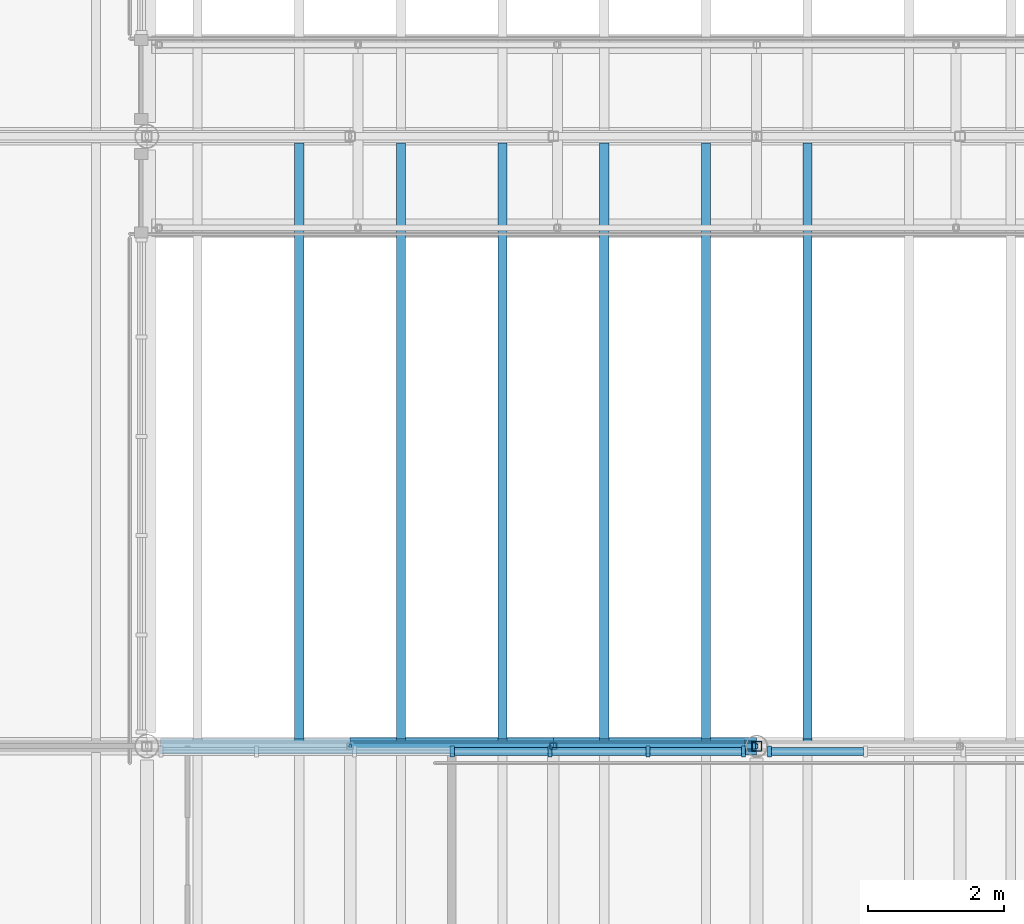
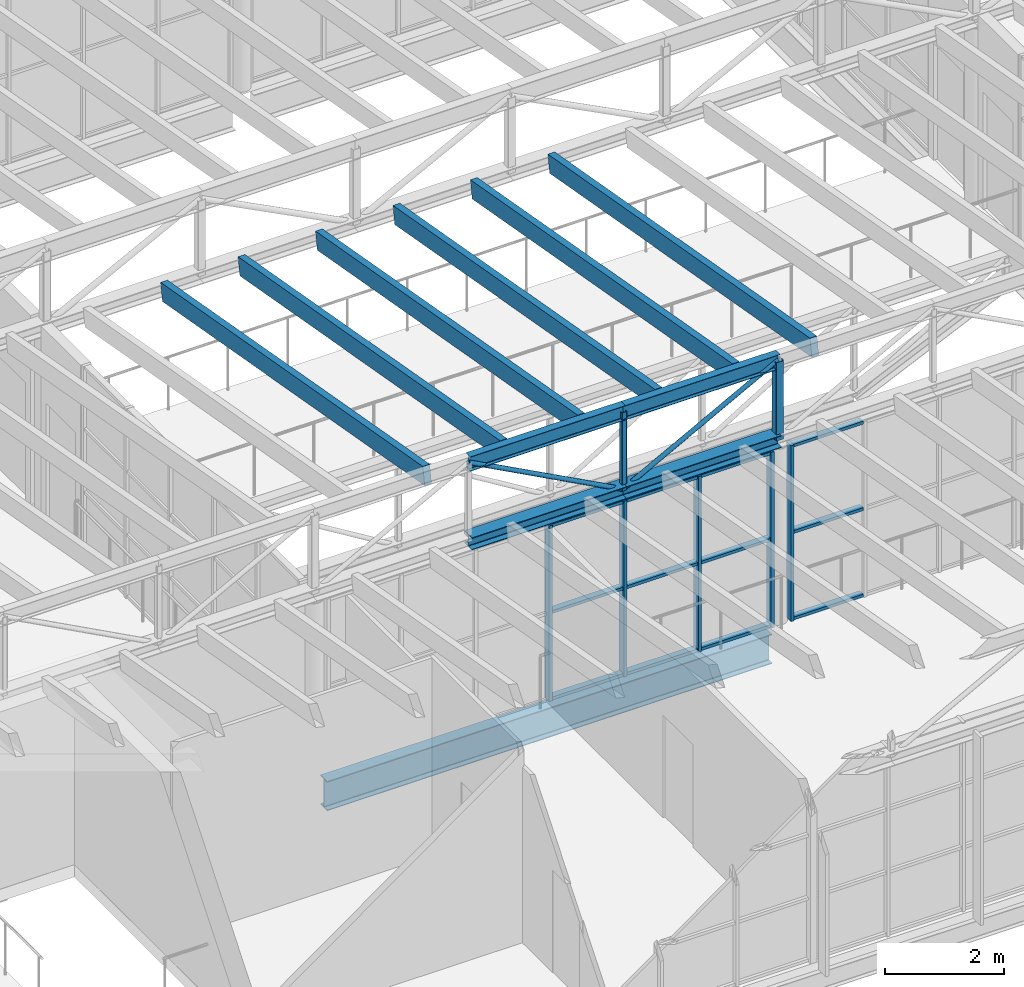
# One storey, part 9 of 44: 31 members, 1 beam, 2 elements without a shape of their own.
"""IFC4 building model written with IfcOpenShell, lengths in metres."""

import ifcopenshell
import ifcopenshell.guid

model = None  # the IFC model being written
_history = None  # IfcOwnerHistory: only IFC2X3 demands one
_inside = {}  # id of a spatial element -> (the spatial element, [elements in it])
_under = {}  # id of a project, library or spatial element -> (it, [spatial elements below it])
_declared = {}  # id of a project -> (the project, [libraries it declares])
_typed = {}  # id of a type object -> (the type object, [elements of that type])
_made_of = {}  # id of a material, layer set ... -> (it, [elements and type objects made of it])


def new_model(schema):
    """Start an empty IFC model of exactly this schema.

    Asked for "IFC4X3", IfcOpenShell would pick the latest addendum, in which some entities
    have other attributes; the version numbers below select the first issue.
    IFC2X3 requires an IfcOwnerHistory on every rooted entity: one is made here for all.
    """
    global model, _history
    if schema == "IFC4X3":
        model = ifcopenshell.file(schema_version=(4, 3, 0, 0))
    else:
        model = ifcopenshell.file(schema=schema)
    _inside.clear()
    _under.clear()
    _declared.clear()
    _typed.clear()
    _made_of.clear()
    _history = None
    if model.schema == "IFC2X3":
        org = make("IfcOrganization", Name="unknown")
        user = make(
            "IfcPersonAndOrganization",
            ThePerson=make("IfcPerson", FamilyName="unknown"),
            TheOrganization=org,
        )
        app = make(
            "IfcApplication",
            ApplicationDeveloper=org,
            Version="unknown",
            ApplicationFullName="unknown",
            ApplicationIdentifier="unknown",
        )
        _history = make(
            "IfcOwnerHistory",
            OwningUser=user,
            OwningApplication=app,
            ChangeAction="ADDED",
            CreationDate=0,
        )
    return model


def make(cls, **values):
    """One entity of the class cls with the attributes given. An attribute that is None is left unset."""
    return model.create_entity(
        cls, **{name: value for name, value in values.items() if value is not None}
    )


def rooted(cls, **values):
    """An entity with a GlobalId (a new one), such as an element, a storey or a relation."""
    return make(cls, GlobalId=ifcopenshell.guid.new(), OwnerHistory=_history, **values)


def si_unit(unit_type, name, prefix=None):
    """IfcSIUnit, for example si_unit("LENGTHUNIT", "METRE", prefix="MILLI")."""
    return make("IfcSIUnit", UnitType=unit_type, Prefix=prefix, Name=name)


def assignment(units):
    """IfcUnitAssignment: the units of a project."""
    return None if units is None else make("IfcUnitAssignment", Units=units)


def point(xyz):
    """IfcCartesianPoint."""
    return None if xyz is None else make("IfcCartesianPoint", Coordinates=xyz)


def direction(xyz):
    """IfcDirection."""
    return None if xyz is None else make("IfcDirection", DirectionRatios=xyz)


def frame(location, z_axis=None, x_axis=None):
    """IfcAxis2Placement3D, a coordinate frame: its origin and axes. An axis left out is left unset."""
    return make(
        "IfcAxis2Placement3D",
        Location=point(location),
        Axis=direction(z_axis),
        RefDirection=direction(x_axis),
    )


def frame_2d(location, x_axis=None):
    """IfcAxis2Placement2D, a coordinate frame in the plane: its origin and x axis."""
    return make(
        "IfcAxis2Placement2D", Location=point(location), RefDirection=direction(x_axis)
    )


def origin():
    """The frame at (0, 0, 0) with its axes left unset."""
    return frame((0.0, 0.0, 0.0))


def origin_2d():
    """The frame at (0, 0) in the plane with its x axis left unset."""
    return frame_2d((0.0, 0.0))


def place(relative_to, where):
    """IfcLocalPlacement: puts the frame where relative to a parent placement (None: the world)."""
    return make(
        "IfcLocalPlacement", PlacementRelTo=relative_to, RelativePlacement=where
    )


def context(
    kind, dimensions, precision=None, world=None, true_north=None, identifier=None
):
    """IfcGeometricRepresentationContext, for example the 3D "Model" context."""
    return make(
        "IfcGeometricRepresentationContext",
        ContextIdentifier=identifier,
        ContextType=kind,
        CoordinateSpaceDimension=dimensions,
        Precision=precision,
        WorldCoordinateSystem=world,
        TrueNorth=true_north,
    )


def subcontext(parent, identifier, kind, view, scale=None):
    """IfcGeometricRepresentationSubContext, for example "Body" below "Model"."""
    return make(
        "IfcGeometricRepresentationSubContext",
        ContextIdentifier=identifier,
        ContextType=kind,
        ParentContext=parent,
        TargetScale=scale,
        TargetView=view,
    )


def project(units=None, contexts=None):
    """IfcProject with its units and contexts."""
    return rooted(
        "IfcProject",
        Name="project",
        RepresentationContexts=contexts,
        UnitsInContext=assignment(units),
    )


def spatial(cls, under=None, at=None, **own):
    """A site, building, storey or space (cls), placed at a placement, below another one or the project."""
    s = rooted(cls, ObjectPlacement=at, **own)
    if under is not None:
        _under.setdefault(under.id(), (under, []))[1].append(s)
    return s


def profile(cls, at=None, kind="AREA", **sizes):
    """A parametric profile (cls). Its sizes go by their IFC names, for example OverallWidth=200.0."""
    return make(cls, ProfileType=kind, Position=at, **sizes)


def rectangle(**sizes):
    """IfcRectangleProfileDef."""
    return profile("IfcRectangleProfileDef", **sizes)


def hollow_rectangle(**sizes):
    """IfcRectangleHollowProfileDef."""
    return profile("IfcRectangleHollowProfileDef", **sizes)


def hollow_circle(**sizes):
    """IfcCircleHollowProfileDef."""
    return profile("IfcCircleHollowProfileDef", **sizes)


def i_section(**sizes):
    """IfcIShapeProfileDef."""
    return profile("IfcIShapeProfileDef", **sizes)


def extrude(swept, where, along, depth):
    """IfcExtrudedAreaSolid: the profile swept, set in the frame where, extruded along a direction by depth."""
    return make(
        "IfcExtrudedAreaSolid",
        SweptArea=swept,
        Position=where,
        ExtrudedDirection=direction(along),
        Depth=depth,
    )


def shape(context_of_items, identifier, shape_type, items):
    """IfcShapeRepresentation: the items that make up one representation, for example the "Body"."""
    return make(
        "IfcShapeRepresentation",
        ContextOfItems=context_of_items,
        RepresentationIdentifier=identifier,
        RepresentationType=shape_type,
        Items=items,
    )


def material(Name=None, Category=None):
    """IfcMaterial."""
    return make("IfcMaterial", Name=Name, Category=Category)


def layer(
    of_material, thickness, ventilated=None, Name=None, Category=None, Priority=None
):
    """IfcMaterialLayer: one layer of a wall or slab, of a material (None: an air gap)."""
    return make(
        "IfcMaterialLayer",
        Material=of_material,
        LayerThickness=thickness,
        IsVentilated=ventilated,
        Name=Name,
        Category=Category,
        Priority=Priority,
    )


def layer_set(layers, Name=None):
    """IfcMaterialLayerSet."""
    return make("IfcMaterialLayerSet", MaterialLayers=layers, LayerSetName=Name)


def material_profile(
    of_material, cross_section, Name=None, Category=None, Priority=None
):
    """IfcMaterialProfile: a cross section and its material."""
    return make(
        "IfcMaterialProfile",
        Name=Name,
        Material=of_material,
        Profile=cross_section,
        Priority=Priority,
        Category=Category,
    )


def profile_set(profiles, Name=None, composite=None):
    """IfcMaterialProfileSet."""
    return make(
        "IfcMaterialProfileSet",
        Name=Name,
        MaterialProfiles=profiles,
        CompositeProfile=composite,
    )


def made_of(thing, what):
    """Note that an element or type object is made of a material, layer set ...; save() writes the relation."""
    if what is not None:
        _made_of.setdefault(what.id(), (what, []))[1].append(thing)
    return thing


def type_object(cls, material=None, **own):
    """A type object (cls), such as IfcWallType, which elements share."""
    return made_of(rooted(cls, **own), material)


def element(
    cls,
    number,
    at=None,
    inside=None,
    cuts=None,
    type_object=None,
    material=None,
    context=None,
    identifier="Body",
    shape_type=None,
    held_by="IfcProductDefinitionShape",
    body=None,
    shapes=None,
    **own,
):
    """One element of the class cls, such as IfcWall. Its Tag is "e" and its number.

    at: its placement. inside: the storey or other place that contains it. cuts: it is an
    opening in that element (IfcRelVoidsElement). A single representation is given by context,
    identifier, shape_type and body (its items); several are given by shapes. held_by: the class
    of the entity that holds the representations. save() writes the other relations.
    """
    e = rooted(cls, Tag="e%d" % number, ObjectPlacement=at, **own)
    if body is not None:
        shapes = [shape(context, identifier, shape_type, body)]
    if shapes is not None:
        e.Representation = make(held_by, Representations=shapes)
    if inside is not None:
        _inside.setdefault(inside.id(), (inside, []))[1].append(e)
    if cuts is not None:
        rooted(
            "IfcRelVoidsElement", RelatingBuildingElement=cuts, RelatedOpeningElement=e
        )
    if type_object is not None:
        _typed.setdefault(type_object.id(), (type_object, []))[1].append(e)
    return made_of(e, material)


def aggregate(whole, parts):
    """IfcRelAggregates: a whole, such as a stair, and the parts it consists of."""
    return rooted("IfcRelAggregates", RelatingObject=whole, RelatedObjects=parts)


def save(model, path):
    """Write the relations noted so far, then the file.

    IfcRelAggregates (storeys below a building ...), IfcRelContainedInSpatialStructure (elements
    in a storey), IfcRelDefinesByType, IfcRelAssociatesMaterial and IfcRelDeclares: one each for
    every whole, place, type object, material and project.
    """
    for whole, parts in _under.values():
        aggregate(whole, parts)
    for where, things in _inside.values():
        rooted(
            "IfcRelContainedInSpatialStructure",
            RelatedElements=things,
            RelatingStructure=where,
        )
    for kind, things in _typed.values():
        rooted("IfcRelDefinesByType", RelatedObjects=things, RelatingType=kind)
    for what, things in _made_of.values():
        rooted("IfcRelAssociatesMaterial", RelatedObjects=things, RelatingMaterial=what)
    for by, libraries in _declared.values():
        rooted("IfcRelDeclares", RelatingContext=by, RelatedDefinitions=libraries)
    model.write(path)


model = new_model("IFC4")

# Units and contexts
model_context = context("Model", 3, precision=1e-05, world=origin(), true_north=direction((0.0, 1.0)))
body_context = subcontext(model_context, "Body", "Model", "MODEL_VIEW")
ifc_project = project(units=[si_unit("LENGTHUNIT", "METRE"), si_unit("AREAUNIT", "SQUARE_METRE"), si_unit("VOLUMEUNIT", "CUBIC_METRE"), si_unit("PLANEANGLEUNIT", "RADIAN"), si_unit("MASSUNIT", "GRAM", prefix="KILO")], contexts=[model_context])

# Site, building, storey
site_placement = place(None, origin())
site = spatial("IfcSite", under=ifc_project, at=site_placement, CompositionType="ELEMENT")
building_placement = place(site_placement, origin())
building = spatial("IfcBuilding", under=site, at=building_placement, Name="Halyard Row Museum", CompositionType="ELEMENT")
storey_placement = place(building_placement, frame((0.0, 0.0, 21.199951171875)))
storey = spatial("IfcBuildingStorey", under=building, at=storey_placement, Name="L04", CompositionType="ELEMENT", Elevation=21.199951171875)

# Curtain wall, members
ifc_material_1 = material(Name="Fire-resisting laminated glazing", Category="glass")
ifc_layer = layer(ifc_material_1, 0.159912109375)
ifc_layer_set = layer_set([ifc_layer], Name="Fire-resisting laminated glazing")
curtain_wall_type = type_object("IfcCurtainWallType", Name="Curtain wall atrium screen 160 deep", PredefinedType="NOTDEFINED", material=ifc_layer_set)
curtain_wall_1_placement = place(storey_placement, origin())
curtain_wall_1 = element("IfcCurtainWall", 1, at=curtain_wall_1_placement, inside=storey, type_object=curtain_wall_type, Name="Curtain wall CW102", PredefinedType="NOTDEFINED")
ifc_material_2 = material(Name="Powder-coated aluminium section", Category="aluminium")
ifc_material_profile_1 = material_profile(ifc_material_2, rectangle(XDim=0.159912109375, YDim=0.06005859375, at=origin_2d()), Name="160x60 mullion")
ifc_profile_set_1 = profile_set([ifc_material_profile_1], Name="Powder-coated aluminium section")
member_type_1 = type_object("IfcMemberType", Name="Curtain wall mullion CM5 60 x 160", PredefinedType="MULLION", material=ifc_profile_set_1)
member_1_placement = place(storey_placement, frame((85.5078125, 8.919921875, 0.0), z_axis=(0.0, 0.0, 1.0), x_axis=(0.0, 1.0, 0.0)))
member_1 = element("IfcMember", 2, at=member_1_placement, type_object=member_type_1, Name="CW102 mullion 4", PredefinedType="MULLION", context=body_context, shape_type="SweptSolid", body=[
    extrude(rectangle(XDim=0.159912109375, YDim=0.06005859375, at=origin_2d()), origin(), (0.0, 0.0, 1.0), 3.60009765625),
])
member_2_placement = place(storey_placement, frame((86.951416015625, 8.919921875, 0.0), z_axis=(0.0, 0.0, 1.0), x_axis=(0.0, 1.0, 0.0)))
member_2 = element("IfcMember", 3, at=member_2_placement, type_object=member_type_1, Name="CW102 mullion 5", PredefinedType="MULLION", context=body_context, shape_type="SweptSolid", body=[
    extrude(rectangle(XDim=0.159912109375, YDim=0.06005859375, at=origin_2d()), origin(), (0.0, 0.0, 1.0), 3.60009765625),
])
member_3_placement = place(storey_placement, frame((88.394775390625, 8.919921875, 0.0), z_axis=(0.0, 0.0, 1.0), x_axis=(0.0, 1.0, 0.0)))
member_3 = element("IfcMember", 4, at=member_3_placement, type_object=member_type_1, Name="CW102 mullion 6", PredefinedType="MULLION", context=body_context, shape_type="SweptSolid", body=[
    extrude(rectangle(XDim=0.159912109375, YDim=0.06005859375, at=origin_2d()), origin(), (0.0, 0.0, 1.0), 3.60009765625),
])
member_4_placement = place(storey_placement, frame((89.80810546875, 8.919921875, 0.0), z_axis=(0.0, 0.0, 1.0), x_axis=(0.0, 1.0, 0.0)))
member_4 = element("IfcMember", 5, at=member_4_placement, type_object=member_type_1, Name="CW102 mullion 7", PredefinedType="MULLION", context=body_context, shape_type="SweptSolid", body=[
    extrude(rectangle(XDim=0.159912109375, YDim=0.06005859375, at=origin_2d()), origin(), (0.0, 0.0, 1.0), 3.60009765625),
])

# Curtain wall, member
curtain_wall_2_placement = place(storey_placement, origin())
curtain_wall_2 = element("IfcCurtainWall", 6, at=curtain_wall_2_placement, inside=storey, type_object=curtain_wall_type, Name="Curtain wall CW103", PredefinedType="NOTDEFINED")
member_5_placement = place(storey_placement, frame((90.19189453125, 8.919921875, 0.0), z_axis=(0.0, 0.0, 1.0), x_axis=(0.0, 1.0, 0.0)))
member_5 = element("IfcMember", 7, at=member_5_placement, type_object=member_type_1, Name="CW103 mullion 1", PredefinedType="MULLION", context=body_context, shape_type="SweptSolid", body=[
    extrude(rectangle(XDim=0.159912109375, YDim=0.06005859375, at=origin_2d()), origin(), (0.0, 0.0, 1.0), 3.60009765625),
])

# Member
ifc_material_3 = material(Name="Powder-coated aluminium section", Category="aluminium")
ifc_material_profile_2 = material_profile(ifc_material_3, rectangle(XDim=0.1201171875, YDim=0.06005859375, at=origin_2d()), Name="120x60 transom")
ifc_profile_set_2 = profile_set([ifc_material_profile_2], Name="Powder-coated aluminium section")
member_type_2 = type_object("IfcMemberType", Name="Curtain wall transom CT5 60 x 120", PredefinedType="USERDEFINED", material=ifc_profile_set_2)
member_6_placement = place(storey_placement, frame((85.537841796875, 8.919921875, 0.030029296875), z_axis=(1.0, 0.0, 0.0), x_axis=(0.0, 1.0, 0.0)))
member_6 = element("IfcMember", 8, at=member_6_placement, type_object=member_type_2, Name="CW102 transom 4.1", ObjectType="TRANSOM", PredefinedType="USERDEFINED", context=body_context, shape_type="SweptSolid", body=[
    extrude(rectangle(XDim=0.1201171875, YDim=0.06005859375, at=origin_2d()), origin(), (0.0, 0.0, 1.0), 1.383544921875),
])

member_7_placement = place(storey_placement, frame((85.537841796875, 8.919921875, 1.800048828125), z_axis=(1.0, 0.0, 0.0), x_axis=(0.0, 1.0, 0.0)))
member_7 = element("IfcMember", 9, at=member_7_placement, type_object=member_type_2, Name="CW102 transom 4.2", ObjectType="TRANSOM", PredefinedType="USERDEFINED", context=body_context, shape_type="SweptSolid", body=[
    extrude(rectangle(XDim=0.1201171875, YDim=0.06005859375, at=origin_2d()), origin(), (0.0, 0.0, 1.0), 1.383544921875),
])

member_8_placement = place(storey_placement, frame((85.537841796875, 8.919921875, 3.570068359375), z_axis=(1.0, 0.0, 0.0), x_axis=(0.0, 1.0, 0.0)))
member_8 = element("IfcMember", 10, at=member_8_placement, type_object=member_type_2, Name="CW102 transom 4.3", ObjectType="TRANSOM", PredefinedType="USERDEFINED", context=body_context, shape_type="SweptSolid", body=[
    extrude(rectangle(XDim=0.1201171875, YDim=0.06005859375, at=origin_2d()), origin(), (0.0, 0.0, 1.0), 1.383544921875),
])

member_9_placement = place(storey_placement, frame((86.981201171875, 8.919921875, 0.030029296875), z_axis=(1.0, 0.0, 0.0), x_axis=(0.0, 1.0, 0.0)))
member_9 = element("IfcMember", 11, at=member_9_placement, type_object=member_type_2, Name="CW102 transom 5.1", ObjectType="TRANSOM", PredefinedType="USERDEFINED", context=body_context, shape_type="SweptSolid", body=[
    extrude(rectangle(XDim=0.1201171875, YDim=0.06005859375, at=origin_2d()), origin(), (0.0, 0.0, 1.0), 1.383544921875),
])

member_10_placement = place(storey_placement, frame((86.981201171875, 8.919921875, 1.800048828125), z_axis=(1.0, 0.0, 0.0), x_axis=(0.0, 1.0, 0.0)))
member_10 = element("IfcMember", 12, at=member_10_placement, type_object=member_type_2, Name="CW102 transom 5.2", ObjectType="TRANSOM", PredefinedType="USERDEFINED", context=body_context, shape_type="SweptSolid", body=[
    extrude(rectangle(XDim=0.1201171875, YDim=0.06005859375, at=origin_2d()), origin(), (0.0, 0.0, 1.0), 1.383544921875),
])

member_11_placement = place(storey_placement, frame((86.981201171875, 8.919921875, 3.570068359375), z_axis=(1.0, 0.0, 0.0), x_axis=(0.0, 1.0, 0.0)))
member_11 = element("IfcMember", 13, at=member_11_placement, type_object=member_type_2, Name="CW102 transom 5.3", ObjectType="TRANSOM", PredefinedType="USERDEFINED", context=body_context, shape_type="SweptSolid", body=[
    extrude(rectangle(XDim=0.1201171875, YDim=0.06005859375, at=origin_2d()), origin(), (0.0, 0.0, 1.0), 1.383544921875),
])

member_12_placement = place(storey_placement, frame((88.424560546875, 8.919921875, 0.030029296875), z_axis=(1.0, 0.0, 0.0), x_axis=(0.0, 1.0, 0.0)))
member_12 = element("IfcMember", 14, at=member_12_placement, type_object=member_type_2, Name="CW102 transom 6.1", ObjectType="TRANSOM", PredefinedType="USERDEFINED", context=body_context, shape_type="SweptSolid", body=[
    extrude(rectangle(XDim=0.1201171875, YDim=0.06005859375, at=origin_2d()), origin(), (0.0, 0.0, 1.0), 1.353515625),
])

member_13_placement = place(storey_placement, frame((88.424560546875, 8.919921875, 1.800048828125), z_axis=(1.0, 0.0, 0.0), x_axis=(0.0, 1.0, 0.0)))
member_13 = element("IfcMember", 15, at=member_13_placement, type_object=member_type_2, Name="CW102 transom 6.2", ObjectType="TRANSOM", PredefinedType="USERDEFINED", context=body_context, shape_type="SweptSolid", body=[
    extrude(rectangle(XDim=0.1201171875, YDim=0.06005859375, at=origin_2d()), origin(), (0.0, 0.0, 1.0), 1.353515625),
])

member_14_placement = place(storey_placement, frame((88.424560546875, 8.919921875, 3.570068359375), z_axis=(1.0, 0.0, 0.0), x_axis=(0.0, 1.0, 0.0)))
member_14 = element("IfcMember", 16, at=member_14_placement, type_object=member_type_2, Name="CW102 transom 6.3", ObjectType="TRANSOM", PredefinedType="USERDEFINED", context=body_context, shape_type="SweptSolid", body=[
    extrude(rectangle(XDim=0.1201171875, YDim=0.06005859375, at=origin_2d()), origin(), (0.0, 0.0, 1.0), 1.353515625),
])

aggregate(curtain_wall_1, [member_1, member_2, member_3, member_4, member_6, member_7, member_8, member_9, member_10, member_11, member_12, member_13, member_14])

member_15_placement = place(storey_placement, frame((90.221923828125, 8.919921875, 0.030029296875), z_axis=(1.0, 0.0, 0.0), x_axis=(0.0, 1.0, 0.0)))
member_15 = element("IfcMember", 17, at=member_15_placement, type_object=member_type_2, Name="CW103 transom 1.1", ObjectType="TRANSOM", PredefinedType="USERDEFINED", context=body_context, shape_type="SweptSolid", body=[
    extrude(rectangle(XDim=0.1201171875, YDim=0.06005859375, at=origin_2d()), origin(), (0.0, 0.0, 1.0), 1.353515625),
])

member_16_placement = place(storey_placement, frame((90.221923828125, 8.919921875, 1.800048828125), z_axis=(1.0, 0.0, 0.0), x_axis=(0.0, 1.0, 0.0)))
member_16 = element("IfcMember", 18, at=member_16_placement, type_object=member_type_2, Name="CW103 transom 1.2", ObjectType="TRANSOM", PredefinedType="USERDEFINED", context=body_context, shape_type="SweptSolid", body=[
    extrude(rectangle(XDim=0.1201171875, YDim=0.06005859375, at=origin_2d()), origin(), (0.0, 0.0, 1.0), 1.353515625),
])

member_17_placement = place(storey_placement, frame((90.221923828125, 8.919921875, 3.570068359375), z_axis=(1.0, 0.0, 0.0), x_axis=(0.0, 1.0, 0.0)))
member_17 = element("IfcMember", 19, at=member_17_placement, type_object=member_type_2, Name="CW103 transom 1.3", ObjectType="TRANSOM", PredefinedType="USERDEFINED", context=body_context, shape_type="SweptSolid", body=[
    extrude(rectangle(XDim=0.1201171875, YDim=0.06005859375, at=origin_2d()), origin(), (0.0, 0.0, 1.0), 1.353515625),
])

aggregate(curtain_wall_2, [member_5, member_15, member_16, member_17])

# Members
ifc_material_4 = material(Name="Glulam GL12 radiata pine", Category="wood")
ifc_material_profile_3 = material_profile(ifc_material_4, rectangle(XDim=0.135009765625, YDim=0.360107421875, at=origin_2d()), Name="GL12 135x360")
ifc_profile_set_3 = profile_set([ifc_material_profile_3], Name="Glulam GL12 radiata pine")
member_type_3 = type_object("IfcMemberType", Name="Rafter GL12 135x360", PredefinedType="RAFTER", material=ifc_profile_set_3)
for number, where, z_axis, x_axis, name in (
    (20, (83.25, 9.074462890625, 5.283935546875), (0.0, 0.984563554103, -0.17502744908), (-1.0, 0.0, 0.0), "Rafter V2-T2b.2"),
    (21, (84.75, 9.074462890625, 5.283935546875), (0.0, 0.984563554103, -0.17502744908), (-1.0, 0.0, 0.0), "Rafter V2-T2b.3"),
    (22, (86.25, 9.074462890625, 5.283935546875), (0.0, 0.984563554103, -0.17502744908), (-1.0, 0.0, 0.0), "Rafter V2-T2b.4"),
    (23, (87.75, 9.074462890625, 5.283935546875), (0.0, 0.984563554103, -0.17502744908), (-1.0, 0.0, 0.0), "Rafter V2-T2b.5"),
    (24, (89.25, 9.074462890625, 5.283935546875), (0.0, 0.984563554103, -0.17502744908), (-1.0, 0.0, 0.0), "Rafter V2-T2b.6"),
    (25, (90.75, 9.074462890625, 5.283935546875), (0.0, 0.984563554103, -0.17502744908), (-1.0, 0.0, 0.0), "Rafter V2-T2b.7"),
):
    element("IfcMember", number, at=place(storey_placement, frame(where, z_axis=z_axis, x_axis=x_axis)), inside=storey, type_object=member_type_3, Name=name, PredefinedType="RAFTER", context=body_context, shape_type="SweptSolid", body=[
        extrude(rectangle(XDim=0.135009765625, YDim=0.360107421875, at=origin_2d()), origin(), (0.0, 0.0, 1.0), 8.935546875),
    ])
ifc_material_5 = material(Name="Steel Grade 300", Category="steel")
ifc_material_profile_4 = material_profile(ifc_material_5, i_section(OverallWidth=0.25390625, OverallDepth=0.25390625, WebThickness=0.008544921875, FlangeThickness=0.01416015625, FilletRadius=0.013916015625, at=origin_2d()), Name="250UC72.9")
ifc_profile_set_4 = profile_set([ifc_material_profile_4], Name="Steel Grade 300")
member_type_4 = type_object("IfcMemberType", Name="Valley truss bottom chord 250UC72.9", PredefinedType="CHORD", material=ifc_profile_set_4)
for number, where, z_axis, x_axis, name in (
    (26, (84.0, 9.0, 3.72705078125), (1.0, 0.0, 0.0), (0.0, 1.0, 0.0), "V2-VT2 bottom chord 2.2"),
    (27, (87.0, 9.0, 3.72705078125), (1.0, 0.0, 0.0), (0.0, 1.0, 0.0), "V2-VT2 bottom chord 2.3"),
):
    element("IfcMember", number, at=place(storey_placement, frame(where, z_axis=z_axis, x_axis=x_axis)), inside=storey, type_object=member_type_4, Name=name, PredefinedType="CHORD", context=body_context, shape_type="SweptSolid", body=[
        extrude(i_section(OverallWidth=0.25390625, OverallDepth=0.25390625, WebThickness=0.008544921875, FlangeThickness=0.01416015625, FilletRadius=0.013916015625, at=origin_2d()), origin(), (0.0, 0.0, 1.0), 3.0),
    ])
ifc_material_6 = material(Name="Steel Grade C250L0", Category="steel")
ifc_material_profile_5 = material_profile(ifc_material_6, hollow_circle(Radius=0.04443359375, WallThickness=0.0048828125, at=origin_2d()), Name="88.9x5.0CHS")
ifc_profile_set_5 = profile_set([ifc_material_profile_5], Name="Steel Grade C250L0")
member_type_5 = type_object("IfcMemberType", Name="Valley truss diagonal 88.9x5.0CHS", PredefinedType="BRACE", material=ifc_profile_set_5)
for number, where, z_axis, x_axis, name in (
    (28, (84.0, 9.0, 5.3310546875), (0.881863759518, 0.0, -0.471504305016), (0.0, 1.0, 0.0), "V2-VT2 diagonal 2.2"),
    (29, (87.0, 9.0, 3.72705078125), (0.881863759518, 0.0, 0.471504305016), (0.0, 1.0, 0.0), "V2-VT2 diagonal 2.3"),
):
    element("IfcMember", number, at=place(storey_placement, frame(where, z_axis=z_axis, x_axis=x_axis)), inside=storey, type_object=member_type_5, Name=name, PredefinedType="BRACE", context=body_context, shape_type="SweptSolid", body=[
        extrude(hollow_circle(Radius=0.04443359375, WallThickness=0.0048828125, at=origin_2d()), origin(), (0.0, 0.0, 1.0), 3.40185546875),
    ])
ifc_material_7 = material(Name="Steel Grade C350L0", Category="steel")
ifc_material_profile_6 = material_profile(ifc_material_7, hollow_rectangle(XDim=0.10009765625, YDim=0.10009765625, WallThickness=0.006103515625, InnerFilletRadius=0.009033203125, OuterFilletRadius=0.014892578125, at=origin_2d()), Name="100x100x6.0SHS")
ifc_profile_set_6 = profile_set([ifc_material_profile_6], Name="Steel Grade C350L0")
member_type_6 = type_object("IfcMemberType", Name="Valley truss post 100x100x6.0SHS", PredefinedType="POST", material=ifc_profile_set_6)
member_18_placement = place(storey_placement, frame((87.0, 9.0, 3.72705078125), z_axis=(0.0, 0.0, 1.0), x_axis=(1.0, 0.0, 0.0)))
element("IfcMember", 30, at=member_18_placement, inside=storey, type_object=member_type_6, Name="V2-VT2 post 2.2", PredefinedType="POST", context=body_context, shape_type="SweptSolid", body=[
    extrude(hollow_rectangle(XDim=0.10009765625, YDim=0.10009765625, WallThickness=0.006103515625, InnerFilletRadius=0.009033203125, OuterFilletRadius=0.014892578125, at=origin_2d()), origin(), (0.0, 0.0, 1.0), 1.60400390625),
])
ifc_material_8 = material(Name="Steel Grade C350L0", Category="steel")
ifc_material_profile_7 = material_profile(ifc_material_8, hollow_rectangle(XDim=0.14990234375, YDim=0.14990234375, WallThickness=0.006103515625, InnerFilletRadius=0.009033203125, OuterFilletRadius=0.014892578125, at=origin_2d()), Name="150x150x6.0SHS")
ifc_profile_set_7 = profile_set([ifc_material_profile_7], Name="Steel Grade C350L0")
member_type_7 = type_object("IfcMemberType", Name="Valley truss post 150x150x6.0SHS", PredefinedType="POST", material=ifc_profile_set_7)
member_19_placement = place(storey_placement, frame((90.0, 9.0, 3.72705078125), z_axis=(0.0, 0.0, 1.0), x_axis=(1.0, 0.0, 0.0)))
element("IfcMember", 31, at=member_19_placement, inside=storey, type_object=member_type_7, Name="V2-VT2 post 2.3", PredefinedType="POST", context=body_context, shape_type="SweptSolid", body=[
    extrude(hollow_rectangle(XDim=0.14990234375, YDim=0.14990234375, WallThickness=0.006103515625, InnerFilletRadius=0.009033203125, OuterFilletRadius=0.014892578125, at=origin_2d()), origin(), (0.0, 0.0, 1.0), 1.60400390625),
])
ifc_material_9 = material(Name="Steel Grade 300", Category="steel")
ifc_material_profile_8 = material_profile(ifc_material_9, i_section(OverallWidth=0.14892578125, OverallDepth=0.298095703125, WebThickness=0.005615234375, FlangeThickness=0.008056640625, FilletRadius=0.012939453125, at=origin_2d()), Name="310UB32.0")
ifc_profile_set_8 = profile_set([ifc_material_profile_8], Name="Steel Grade 300")
member_type_8 = type_object("IfcMemberType", Name="Valley truss top chord 310UB32.0", PredefinedType="CHORD", material=ifc_profile_set_8)
for number, where, z_axis, x_axis, name in (
    (32, (84.0, 9.0, 5.3310546875), (1.0, 0.0, 0.0), (0.0, 1.0, 0.0), "V2-VT2 top chord 2.2"),
    (33, (87.0, 9.0, 5.3310546875), (1.0, 0.0, 0.0), (0.0, 1.0, 0.0), "V2-VT2 top chord 2.3"),
):
    element("IfcMember", number, at=place(storey_placement, frame(where, z_axis=z_axis, x_axis=x_axis)), inside=storey, type_object=member_type_8, Name=name, PredefinedType="CHORD", context=body_context, shape_type="SweptSolid", body=[
        extrude(i_section(OverallWidth=0.14892578125, OverallDepth=0.298095703125, WebThickness=0.005615234375, FlangeThickness=0.008056640625, FilletRadius=0.012939453125, at=origin_2d()), origin(), (0.0, 0.0, 1.0), 3.0),
    ])

# Beam
ifc_material_10 = material(Name="Steel Grade 300", Category="steel")
ifc_material_profile_9 = material_profile(ifc_material_10, i_section(OverallWidth=0.22802734375, OverallDepth=0.60205078125, WebThickness=0.010498046875, FlangeThickness=0.014892578125, FilletRadius=0.013916015625, at=origin_2d()), Name="610UB101")
ifc_profile_set_9 = profile_set([ifc_material_profile_9], Name="Steel Grade 300")
beam_type = type_object("IfcBeamType", Name="Void edge beam 610UB101", PredefinedType="BEAM", material=ifc_profile_set_9)
beam_placement = place(storey_placement, frame((81.203125, 9.0, -0.466064453125), z_axis=(1.0, 0.0, 0.0), x_axis=(0.0, 1.0, 0.0)))
element("IfcBeam", 34, at=beam_placement, inside=storey, type_object=beam_type, Name="Beam L04-006", PredefinedType="BEAM", context=body_context, shape_type="SweptSolid", body=[
    extrude(i_section(OverallWidth=0.22802734375, OverallDepth=0.60205078125, WebThickness=0.010498046875, FlangeThickness=0.014892578125, FilletRadius=0.013916015625, at=origin_2d()), origin(), (0.0, 0.0, 1.0), 8.619140625),
])

save(model, "model.ifc")
